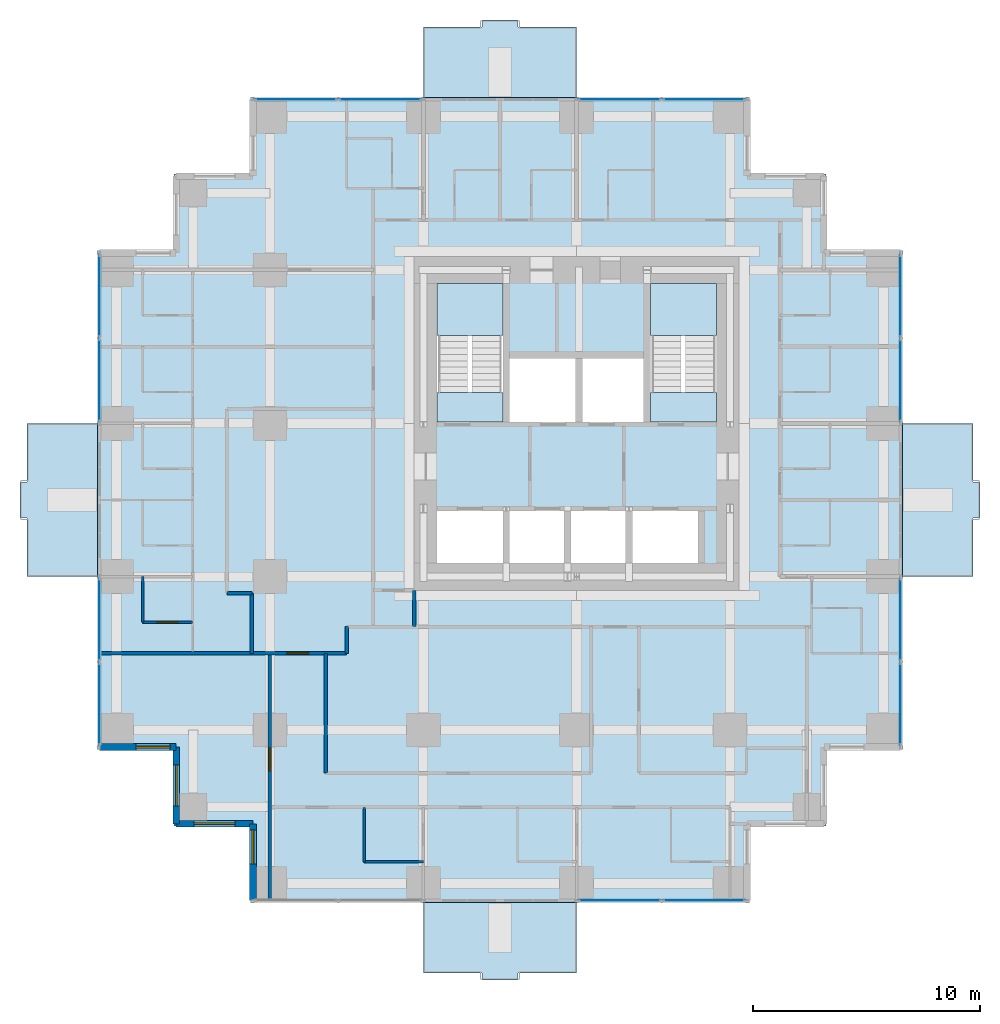
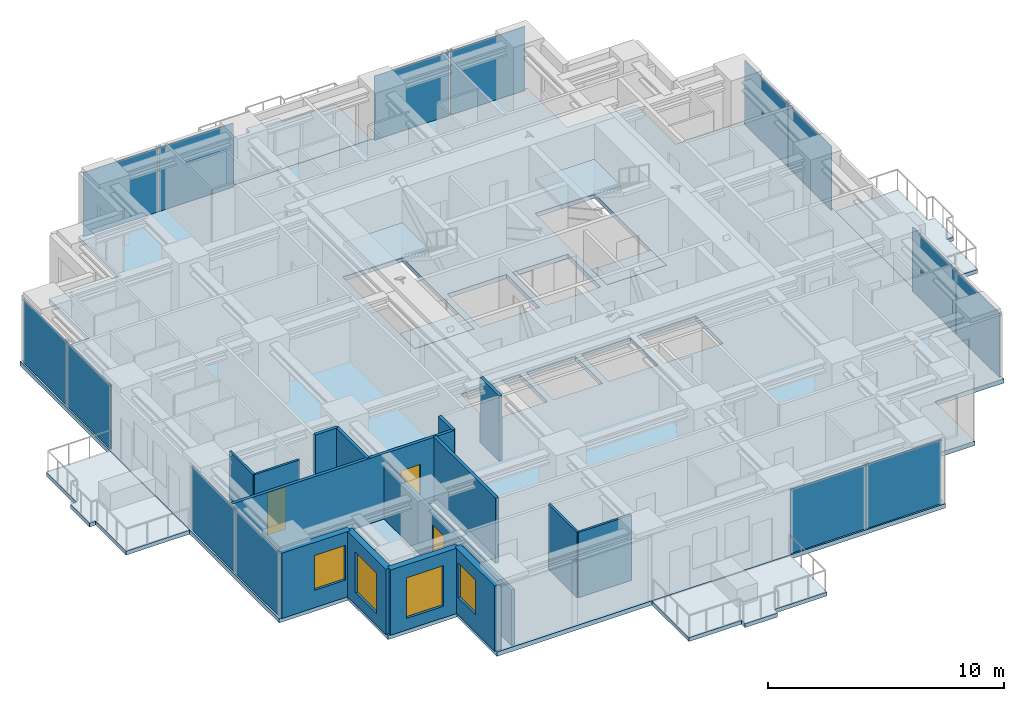
# One storey, part 4 of 10: 15 walls, 14 plates, 9 slabs, 4 windows, 3 doors, 7 openings, 9 elements without a shape of their own.
"""IFC4 building model written with IfcOpenShell, lengths in metres."""

from ifc_helpers import new_model, si_unit, direction, frame, frame_2d, origin, origin_2d, place, context, subcontext, project, spatial, polyline, rectangle, outline, extrude, material, layer, layer_set, type_object, element, fill, aggregate, save


model = new_model("IFC4")

# Units and contexts
model_context = context("Model", 3, precision=1e-05, world=origin(), true_north=direction((0.0, 1.0)))
body_context = subcontext(model_context, "Body", "Model", "MODEL_VIEW")
ifc_project = project(units=[si_unit("LENGTHUNIT", "METRE"), si_unit("AREAUNIT", "SQUARE_METRE"), si_unit("VOLUMEUNIT", "CUBIC_METRE"), si_unit("PLANEANGLEUNIT", "RADIAN"), si_unit("MASSUNIT", "GRAM", prefix="KILO")], contexts=[model_context])

# Site, building, storey
site_placement = place(None, origin())
site = spatial("IfcSite", under=ifc_project, at=site_placement, CompositionType="ELEMENT")
building_placement = place(site_placement, origin())
building = spatial("IfcBuilding", under=site, at=building_placement, Name="Nyansa Garden Tower", CompositionType="ELEMENT")
storey_placement = place(building_placement, frame((0.0, 0.0, 156.60009765625)))
storey = spatial("IfcBuildingStorey", under=building, at=storey_placement, Name="L42", CompositionType="ELEMENT", Elevation=156.60009765625)

# Slabs
ifc_material_1 = material(Name="Concrete C40/50", Category="concrete")
ifc_layer_1 = layer(ifc_material_1, 0.199951171875)
ifc_layer_set_1 = layer_set([ifc_layer_1], Name="Balcony slab BS200")
slab_type_1 = type_object("IfcSlabType", Name="Balcony slab BS200", PredefinedType="FLOOR", material=ifc_layer_set_1)
slab_1_placement = place(storey_placement, frame((0.0, 0.0, -0.239990234375)))
element("IfcSlab", 1, at=slab_1_placement, inside=storey, type_object=slab_type_1, Name="Balcony L42 S", PredefinedType="FLOOR", context=body_context, shape_type="SweptSolid", body=[
    extrude(outline(polyline([(13.5, -0.85009765625), (20.25, -0.85009765625), (20.25, -3.949951171875), (17.675048828125, -3.949951171875), (17.675048828125, -4.25), (16.074951171875, -4.25), (16.074951171875, -3.949951171875), (13.5, -3.949951171875), (13.5, -0.85009765625)])), origin(), (0.0, 0.0, 1.0), 0.199951171875),
])
slab_2_placement = place(storey_placement, frame((0.0, 0.0, -0.239990234375)))
element("IfcSlab", 2, at=slab_2_placement, inside=storey, type_object=slab_type_1, Name="Balcony L42 E", PredefinedType="FLOOR", context=body_context, shape_type="SweptSolid", body=[
    extrude(outline(polyline([(34.60009765625, 13.5), (34.60009765625, 20.25), (37.699951171875, 20.25), (37.699951171875, 17.675048828125), (38.0, 17.675048828125), (38.0, 16.074951171875), (37.699951171875, 16.074951171875), (37.699951171875, 13.5), (34.60009765625, 13.5)])), origin(), (0.0, 0.0, 1.0), 0.199951171875),
])
slab_3_placement = place(storey_placement, frame((0.0, 0.0, -0.239990234375)))
element("IfcSlab", 3, at=slab_3_placement, inside=storey, type_object=slab_type_1, Name="Balcony L42 N", PredefinedType="FLOOR", context=body_context, shape_type="SweptSolid", body=[
    extrude(outline(polyline([(13.5, 34.60009765625), (20.25, 34.60009765625), (20.25, 37.699951171875), (17.675048828125, 37.699951171875), (17.675048828125, 38.0), (16.074951171875, 38.0), (16.074951171875, 37.699951171875), (13.5, 37.699951171875), (13.5, 34.60009765625)])), origin(), (0.0, 0.0, 1.0), 0.199951171875),
])
slab_4_placement = place(storey_placement, frame((0.0, 0.0, -0.239990234375)))
element("IfcSlab", 4, at=slab_4_placement, inside=storey, type_object=slab_type_1, Name="Balcony L42 W", PredefinedType="FLOOR", context=body_context, shape_type="SweptSolid", body=[
    extrude(outline(polyline([(-0.85009765625, 13.5), (-0.85009765625, 20.25), (-3.949951171875, 20.25), (-3.949951171875, 17.675048828125), (-4.25, 17.675048828125), (-4.25, 16.074951171875), (-3.949951171875, 16.074951171875), (-3.949951171875, 13.5), (-0.85009765625, 13.5)])), origin(), (0.0, 0.0, 1.0), 0.199951171875),
])

# Curtain wall, plates
ifc_material_2 = material(Name="Black anodised aluminium, dark tinted double glazing", Category="aluminium")
curtain_wall_type = type_object("IfcCurtainWallType", Name="Inner skin curtain wall ISW-C", PredefinedType="USERDEFINED", material=ifc_material_2)
curtain_wall_1_placement = place(storey_placement, origin())
curtain_wall_1 = element("IfcCurtainWall", 5, at=curtain_wall_1_placement, inside=storey, type_object=curtain_wall_type, Name="Inner skin curtain wall L42 E", ObjectType="UNITISED CURTAIN WALL", PredefinedType="USERDEFINED")
ifc_material_3 = material(Name="Dark tinted laminated double glazing", Category="glass")
ifc_layer_2 = layer(ifc_material_3, 0.0400390625)
ifc_layer_set_2 = layer_set([ifc_layer_2], Name="Dark tinted vision panel VP-C")
plate_type = type_object("IfcPlateType", Name="Dark tinted vision panel VP-C", PredefinedType="CURTAIN_PANEL", material=ifc_layer_set_2)
plate_1_placement = place(storey_placement, frame((34.5, 7.892578125, 0.0), z_axis=(0.0, 0.0, 1.0), x_axis=(0.0, 1.0, 0.0)))
plate_1 = element("IfcPlate", 6, at=plate_1_placement, type_object=plate_type, Name="ISW-C panel 1", PredefinedType="CURTAIN_PANEL", context=body_context, shape_type="SweptSolid", body=[
    extrude(rectangle(XDim=3.64501953125, YDim=0.0400390625, at=origin_2d()), origin(), (0.0, 0.0, 1.0), 3.304931640625),
])
plate_2_placement = place(storey_placement, frame((34.5, 11.607421875, 0.0), z_axis=(0.0, 0.0, 1.0), x_axis=(0.0, 1.0, 0.0)))
plate_2 = element("IfcPlate", 7, at=plate_2_placement, type_object=plate_type, Name="ISW-C panel 2", PredefinedType="CURTAIN_PANEL", context=body_context, shape_type="SweptSolid", body=[
    extrude(rectangle(XDim=3.64501953125, YDim=0.0400390625, at=origin_2d()), origin(), (0.0, 0.0, 1.0), 3.304931640625),
])
aggregate(curtain_wall_1, [plate_1, plate_2])

curtain_wall_2_placement = place(storey_placement, origin())
curtain_wall_2 = element("IfcCurtainWall", 8, at=curtain_wall_2_placement, inside=storey, type_object=curtain_wall_type, Name="Inner skin curtain wall L42 E", ObjectType="UNITISED CURTAIN WALL", PredefinedType="USERDEFINED")
plate_3_placement = place(storey_placement, frame((34.5, 22.142578125, 0.0), z_axis=(0.0, 0.0, 1.0), x_axis=(0.0, 1.0, 0.0)))
plate_3 = element("IfcPlate", 9, at=plate_3_placement, type_object=plate_type, Name="ISW-C panel 1", PredefinedType="CURTAIN_PANEL", context=body_context, shape_type="SweptSolid", body=[
    extrude(rectangle(XDim=3.64501953125, YDim=0.0400390625, at=origin_2d()), origin(), (0.0, 0.0, 1.0), 3.304931640625),
])
plate_4_placement = place(storey_placement, frame((34.5, 25.857421875, 0.0), z_axis=(0.0, 0.0, 1.0), x_axis=(0.0, 1.0, 0.0)))
plate_4 = element("IfcPlate", 10, at=plate_4_placement, type_object=plate_type, Name="ISW-C panel 2", PredefinedType="CURTAIN_PANEL", context=body_context, shape_type="SweptSolid", body=[
    extrude(rectangle(XDim=3.64501953125, YDim=0.0400390625, at=origin_2d()), origin(), (0.0, 0.0, 1.0), 3.304931640625),
])
aggregate(curtain_wall_2, [plate_3, plate_4])

curtain_wall_3_placement = place(storey_placement, origin())
curtain_wall_3 = element("IfcCurtainWall", 11, at=curtain_wall_3_placement, inside=storey, type_object=curtain_wall_type, Name="Inner skin curtain wall L42 N", ObjectType="UNITISED CURTAIN WALL", PredefinedType="USERDEFINED")
plate_5_placement = place(storey_placement, frame((11.607421875, 34.5, 0.0), z_axis=(0.0, 0.0, 1.0), x_axis=(-1.0, 0.0, 0.0)))
plate_5 = element("IfcPlate", 12, at=plate_5_placement, type_object=plate_type, Name="ISW-C panel 1", PredefinedType="CURTAIN_PANEL", context=body_context, shape_type="SweptSolid", body=[
    extrude(rectangle(XDim=3.64501953125, YDim=0.0400390625, at=origin_2d()), origin(), (0.0, 0.0, 1.0), 3.304931640625),
])
plate_6_placement = place(storey_placement, frame((7.892578125, 34.5, 0.0), z_axis=(0.0, 0.0, 1.0), x_axis=(-1.0, 0.0, 0.0)))
plate_6 = element("IfcPlate", 13, at=plate_6_placement, type_object=plate_type, Name="ISW-C panel 2", PredefinedType="CURTAIN_PANEL", context=body_context, shape_type="SweptSolid", body=[
    extrude(rectangle(XDim=3.64501953125, YDim=0.0400390625, at=origin_2d()), origin(), (0.0, 0.0, 1.0), 3.304931640625),
])
aggregate(curtain_wall_3, [plate_5, plate_6])

curtain_wall_4_placement = place(storey_placement, origin())
curtain_wall_4 = element("IfcCurtainWall", 14, at=curtain_wall_4_placement, inside=storey, type_object=curtain_wall_type, Name="Inner skin curtain wall L42 N", ObjectType="UNITISED CURTAIN WALL", PredefinedType="USERDEFINED")
plate_7_placement = place(storey_placement, frame((25.857421875, 34.5, 0.0), z_axis=(0.0, 0.0, 1.0), x_axis=(-1.0, 0.0, 0.0)))
plate_7 = element("IfcPlate", 15, at=plate_7_placement, type_object=plate_type, Name="ISW-C panel 1", PredefinedType="CURTAIN_PANEL", context=body_context, shape_type="SweptSolid", body=[
    extrude(rectangle(XDim=3.64501953125, YDim=0.0400390625, at=origin_2d()), origin(), (0.0, 0.0, 1.0), 3.304931640625),
])
plate_8_placement = place(storey_placement, frame((22.142578125, 34.5, 0.0), z_axis=(0.0, 0.0, 1.0), x_axis=(-1.0, 0.0, 0.0)))
plate_8 = element("IfcPlate", 16, at=plate_8_placement, type_object=plate_type, Name="ISW-C panel 2", PredefinedType="CURTAIN_PANEL", context=body_context, shape_type="SweptSolid", body=[
    extrude(rectangle(XDim=3.64501953125, YDim=0.0400390625, at=origin_2d()), origin(), (0.0, 0.0, 1.0), 3.304931640625),
])
aggregate(curtain_wall_4, [plate_7, plate_8])

curtain_wall_5_placement = place(storey_placement, origin())
curtain_wall_5 = element("IfcCurtainWall", 17, at=curtain_wall_5_placement, inside=storey, type_object=curtain_wall_type, Name="Inner skin curtain wall L42 W", ObjectType="UNITISED CURTAIN WALL", PredefinedType="USERDEFINED")
plate_9_placement = place(storey_placement, frame((-0.75, 11.607421875, 0.0), z_axis=(0.0, 0.0, 1.0), x_axis=(0.0, -1.0, 0.0)))
plate_9 = element("IfcPlate", 18, at=plate_9_placement, type_object=plate_type, Name="ISW-C panel 1", PredefinedType="CURTAIN_PANEL", context=body_context, shape_type="SweptSolid", body=[
    extrude(rectangle(XDim=3.64501953125, YDim=0.0400390625, at=origin_2d()), origin(), (0.0, 0.0, 1.0), 3.304931640625),
])
plate_10_placement = place(storey_placement, frame((-0.75, 7.892578125, 0.0), z_axis=(0.0, 0.0, 1.0), x_axis=(0.0, -1.0, 0.0)))
plate_10 = element("IfcPlate", 19, at=plate_10_placement, type_object=plate_type, Name="ISW-C panel 2", PredefinedType="CURTAIN_PANEL", context=body_context, shape_type="SweptSolid", body=[
    extrude(rectangle(XDim=3.64501953125, YDim=0.0400390625, at=origin_2d()), origin(), (0.0, 0.0, 1.0), 3.304931640625),
])
aggregate(curtain_wall_5, [plate_9, plate_10])

curtain_wall_6_placement = place(storey_placement, origin())
curtain_wall_6 = element("IfcCurtainWall", 20, at=curtain_wall_6_placement, inside=storey, type_object=curtain_wall_type, Name="Inner skin curtain wall L42 W", ObjectType="UNITISED CURTAIN WALL", PredefinedType="USERDEFINED")
plate_11_placement = place(storey_placement, frame((-0.75, 25.857421875, 0.0), z_axis=(0.0, 0.0, 1.0), x_axis=(0.0, -1.0, 0.0)))
plate_11 = element("IfcPlate", 21, at=plate_11_placement, type_object=plate_type, Name="ISW-C panel 1", PredefinedType="CURTAIN_PANEL", context=body_context, shape_type="SweptSolid", body=[
    extrude(rectangle(XDim=3.64501953125, YDim=0.0400390625, at=origin_2d()), origin(), (0.0, 0.0, 1.0), 3.304931640625),
])
plate_12_placement = place(storey_placement, frame((-0.75, 22.142578125, 0.0), z_axis=(0.0, 0.0, 1.0), x_axis=(0.0, -1.0, 0.0)))
plate_12 = element("IfcPlate", 22, at=plate_12_placement, type_object=plate_type, Name="ISW-C panel 2", PredefinedType="CURTAIN_PANEL", context=body_context, shape_type="SweptSolid", body=[
    extrude(rectangle(XDim=3.64501953125, YDim=0.0400390625, at=origin_2d()), origin(), (0.0, 0.0, 1.0), 3.304931640625),
])
aggregate(curtain_wall_6, [plate_11, plate_12])

curtain_wall_7_placement = place(storey_placement, origin())
curtain_wall_7 = element("IfcCurtainWall", 23, at=curtain_wall_7_placement, inside=storey, type_object=curtain_wall_type, Name="Inner skin curtain wall L42 S", ObjectType="UNITISED CURTAIN WALL", PredefinedType="USERDEFINED")
plate_13_placement = place(storey_placement, frame((22.142578125, -0.75, 0.0), z_axis=(0.0, 0.0, 1.0), x_axis=(1.0, 0.0, 0.0)))
plate_13 = element("IfcPlate", 24, at=plate_13_placement, type_object=plate_type, Name="ISW-C panel 1", PredefinedType="CURTAIN_PANEL", context=body_context, shape_type="SweptSolid", body=[
    extrude(rectangle(XDim=3.64501953125, YDim=0.0400390625, at=origin_2d()), origin(), (0.0, 0.0, 1.0), 3.304931640625),
])
plate_14_placement = place(storey_placement, frame((25.857421875, -0.75, 0.0), z_axis=(0.0, 0.0, 1.0), x_axis=(1.0, 0.0, 0.0)))
plate_14 = element("IfcPlate", 25, at=plate_14_placement, type_object=plate_type, Name="ISW-C panel 2", PredefinedType="CURTAIN_PANEL", context=body_context, shape_type="SweptSolid", body=[
    extrude(rectangle(XDim=3.64501953125, YDim=0.0400390625, at=origin_2d()), origin(), (0.0, 0.0, 1.0), 3.304931640625),
])
aggregate(curtain_wall_7, [plate_13, plate_14])

# Slab
ifc_material_4 = material(Name="Concrete C40/50", Category="concrete")
ifc_layer_3 = layer(ifc_material_4, 0.22509765625)
ifc_layer_set_3 = layer_set([ifc_layer_3], Name="Floor slab FS225")
slab_type_2 = type_object("IfcSlabType", Name="Floor slab FS225", PredefinedType="FLOOR", material=ifc_layer_set_3)
slab_5_placement = place(storey_placement, frame((0.0, 0.0, -0.22509765625)))
element("IfcSlab", 26, at=slab_5_placement, inside=storey, type_object=slab_type_2, Name="Floor slab L42", PredefinedType="FLOOR", context=body_context, shape_type="SweptSolid", body=[
    extrude(outline(polyline([(34.60009765625, 5.89990234375), (31.22509765625, 5.89990234375), (31.22509765625, 2.52490234375), (27.85009765625, 2.52490234375), (27.85009765625, -0.85009765625), (5.89990234375, -0.85009765625), (5.89990234375, 2.52490234375), (2.52490234375, 2.52490234375), (2.52490234375, 5.89990234375), (-0.85009765625, 5.89990234375), (-0.85009765625, 27.85009765625), (2.52490234375, 27.85009765625), (2.52490234375, 31.22509765625), (5.89990234375, 31.22509765625), (5.89990234375, 34.60009765625), (27.85009765625, 34.60009765625), (27.85009765625, 31.22509765625), (31.22509765625, 31.22509765625), (31.22509765625, 27.85009765625), (34.60009765625, 27.85009765625), (34.60009765625, 5.89990234375)]), holes=[polyline([(14.10009765625, 14.10009765625), (17.0, 14.10009765625), (17.0, 16.39990234375), (14.10009765625, 16.39990234375), (14.10009765625, 14.10009765625)]), polyline([(17.300048828125, 14.10009765625), (19.699951171875, 14.10009765625), (19.699951171875, 16.39990234375), (17.300048828125, 16.39990234375), (17.300048828125, 14.10009765625)]), polyline([(20.0, 14.10009765625), (22.39990234375, 14.10009765625), (22.39990234375, 16.39990234375), (20.0, 16.39990234375), (20.0, 14.10009765625)]), polyline([(22.699951171875, 14.10009765625), (25.60009765625, 14.10009765625), (25.60009765625, 16.39990234375), (22.699951171875, 16.39990234375), (22.699951171875, 14.10009765625)]), polyline([(17.300048828125, 20.300048828125), (20.199951171875, 20.300048828125), (20.199951171875, 23.10009765625), (17.300048828125, 23.10009765625), (17.300048828125, 20.300048828125)]), polyline([(20.5, 20.300048828125), (23.199951171875, 20.300048828125), (23.199951171875, 23.10009765625), (20.5, 23.10009765625), (20.5, 20.300048828125)]), polyline([(14.10009765625, 20.300048828125), (17.0, 20.300048828125), (17.0, 26.39990234375), (14.10009765625, 26.39990234375), (14.10009765625, 20.300048828125)]), polyline([(23.5, 20.300048828125), (26.39990234375, 20.300048828125), (26.39990234375, 26.39990234375), (23.5, 26.39990234375), (23.5, 20.300048828125)])]), origin(), (0.0, 0.0, 1.0), 0.22509765625),
])

# Stair, slabs
ifc_material_5 = material(Name="Precast concrete C40/50", Category="concrete")
stair_type_1 = type_object("IfcStairType", Name="Stair S1 180x280", PredefinedType="HALF_TURN_STAIR", material=ifc_material_5)
stair_1_placement = place(storey_placement, origin())
stair_1 = element("IfcStair", 27, at=stair_1_placement, inside=storey, type_object=stair_type_1, Name="Stair S1 L42", PredefinedType="HALF_TURN_STAIR")
ifc_material_6 = material(Name="Concrete C40/50", Category="concrete")
ifc_layer_4 = layer(ifc_material_6, 0.199951171875)
ifc_layer_set_4 = layer_set([ifc_layer_4], Name="Stair landing SL200")
slab_type_3 = type_object("IfcSlabType", Name="Stair landing SL200", PredefinedType="LANDING", material=ifc_layer_set_4)
slab_6_placement = place(storey_placement, frame((0.0, 0.0, -0.2001953125)))
slab_6 = element("IfcSlab", 28, at=slab_6_placement, type_object=slab_type_3, Name="S1 landing 1", PredefinedType="LANDING", context=body_context, shape_type="SweptSolid", body=[
    extrude(outline(polyline([(14.10009765625, 20.300048828125), (17.0, 20.300048828125), (17.0, 21.60009765625), (14.10009765625, 21.60009765625), (14.10009765625, 20.300048828125)])), origin(), (0.0, 0.0, 1.0), 0.2001953125),
])
slab_7_placement = place(storey_placement, frame((0.0, 0.0, 1.599853515625)))
slab_7 = element("IfcSlab", 29, at=slab_7_placement, type_object=slab_type_3, Name="S1 landing 2", PredefinedType="LANDING", context=body_context, shape_type="SweptSolid", body=[
    extrude(outline(polyline([(14.10009765625, 24.1201171875), (17.0, 24.1201171875), (17.0, 26.39990234375), (14.10009765625, 26.39990234375), (14.10009765625, 24.1201171875)])), origin(), (0.0, 0.0, 1.0), 0.199951171875),
])
aggregate(stair_1, [slab_6, slab_7])

ifc_material_7 = material(Name="Precast concrete C40/50", Category="concrete")
stair_type_2 = type_object("IfcStairType", Name="Stair S2 180x280", PredefinedType="HALF_TURN_STAIR", material=ifc_material_7)
stair_2_placement = place(storey_placement, origin())
stair_2 = element("IfcStair", 30, at=stair_2_placement, inside=storey, type_object=stair_type_2, Name="Stair S2 L42", PredefinedType="HALF_TURN_STAIR")
slab_8_placement = place(storey_placement, frame((0.0, 0.0, -0.2001953125)))
slab_8 = element("IfcSlab", 31, at=slab_8_placement, type_object=slab_type_3, Name="S2 landing 1", PredefinedType="LANDING", context=body_context, shape_type="SweptSolid", body=[
    extrude(outline(polyline([(23.5, 20.300048828125), (26.39990234375, 20.300048828125), (26.39990234375, 21.60009765625), (23.5, 21.60009765625), (23.5, 20.300048828125)])), origin(), (0.0, 0.0, 1.0), 0.2001953125),
])
slab_9_placement = place(storey_placement, frame((0.0, 0.0, 1.599853515625)))
slab_9 = element("IfcSlab", 32, at=slab_9_placement, type_object=slab_type_3, Name="S2 landing 2", PredefinedType="LANDING", context=body_context, shape_type="SweptSolid", body=[
    extrude(outline(polyline([(23.5, 24.1201171875), (26.39990234375, 24.1201171875), (26.39990234375, 26.39990234375), (23.5, 26.39990234375), (23.5, 24.1201171875)])), origin(), (0.0, 0.0, 1.0), 0.199951171875),
])
aggregate(stair_2, [slab_8, slab_9])

# Wall, opening, door
ifc_material_8 = material(Name="Blockwork, plastered both sides", Category="masonry")
ifc_layer_5 = layer(ifc_material_8, 0.14990234375)
ifc_layer_set_5 = layer_set([ifc_layer_5], Name="Partition PW150")
wall_type_1 = type_object("IfcWallType", Name="Partition PW150", PredefinedType="PARTITIONING", material=ifc_layer_set_5)
wall_1_placement = place(storey_placement, frame((-0.73388671875, 10.125, 0.0), z_axis=(0.0, 0.0, 1.0), x_axis=(1.0, 0.0, 0.0)))
wall_1 = element("IfcWall", 33, at=wall_1_placement, inside=storey, type_object=wall_type_1, Name="Partition", PredefinedType="PARTITIONING", context=body_context, shape_type="SweptSolid", body=[
    extrude(rectangle(XDim=10.85888671875, YDim=0.14990234375, at=frame_2d((5.429443359375, 0.0))), origin(), (0.0, 0.0, 1.0), 3.375),
])
opening_1_placement = place(wall_1_placement, frame((8.23388671875, 0.0, 0.0)))
opening_1 = element("IfcOpeningElement", 34, at=opening_1_placement, cuts=wall_1, Name="Opening D01", PredefinedType="OPENING", context=body_context, shape_type="SweptSolid", body=[
    extrude(rectangle(XDim=0.949951171875, YDim=2.199951171875, at=frame_2d((0.47509765625, 1.10009765625))), frame((0.0, 0.0849609375, 0.0), z_axis=(0.0, -1.0, 0.0), x_axis=(1.0, 0.0, 0.0)), (0.0, 0.0, 1.0), 0.169921875),
])
ifc_material_9 = material(Name="Timber flush door, 30 minute fire resisting", Category="wood")
door_type_1 = type_object("IfcDoorType", Name="Bedroom door D01 950x2200", OperationType="SINGLE_SWING_LEFT", PredefinedType="DOOR", material=ifc_material_9)
door_1_placement = place(opening_1_placement, origin())
door_1 = element("IfcDoor", 35, at=door_1_placement, inside=storey, type_object=door_type_1, Name="Door L42-062", OperationType="SINGLE_SWING_LEFT", OverallHeight=2.199951171875, OverallWidth=0.949951171875, PredefinedType="DOOR", context=body_context, shape_type="SweptSolid", body=[
    extrude(rectangle(XDim=0.949951171875, YDim=2.199951171875, at=frame_2d((0.47509765625, 1.10009765625))), frame((0.0, 0.02490234375, 0.0), z_axis=(0.0, -1.0, 0.0), x_axis=(1.0, 0.0, 0.0)), (0.0, 0.0, 1.0), 0.050048828125),
])
fill(opening_1, door_1)

# Walls
wall_2_placement = place(storey_placement, frame((4.85009765625, 12.77490234375, 0.0), z_axis=(0.0, 0.0, 1.0), x_axis=(1.0, 0.0, 0.0)))
element("IfcWall", 36, at=wall_2_placement, inside=storey, type_object=wall_type_1, Name="Partition", PredefinedType="PARTITIONING", context=body_context, shape_type="SweptSolid", body=[
    extrude(rectangle(XDim=1.099853515625, YDim=0.14990234375, at=frame_2d((0.5498046875, 0.0))), origin(), (0.0, 0.0, 1.0), 3.375),
])
wall_3_placement = place(storey_placement, frame((5.949951171875, 10.125, 0.0), z_axis=(0.0, 0.0, 1.0), x_axis=(0.0, 1.0, 0.0)))
element("IfcWall", 37, at=wall_3_placement, inside=storey, type_object=wall_type_1, Name="Partition", PredefinedType="PARTITIONING", context=body_context, shape_type="SweptSolid", body=[
    extrude(rectangle(XDim=2.64990234375, YDim=0.14990234375, at=frame_2d((1.324951171875, 0.0))), origin(), (0.0, 0.0, 1.0), 3.375),
])

# Wall, opening, door
wall_4_placement = place(storey_placement, frame((6.75, -0.73388671875, 0.0), z_axis=(0.0, 0.0, 1.0), x_axis=(0.0, 1.0, 0.0)))
wall_4 = element("IfcWall", 38, at=wall_4_placement, inside=storey, type_object=wall_type_1, Name="Partition", PredefinedType="PARTITIONING", context=body_context, shape_type="SweptSolid", body=[
    extrude(rectangle(XDim=10.85888671875, YDim=0.14990234375, at=frame_2d((5.429443359375, 0.0))), origin(), (0.0, 0.0, 1.0), 2.876953125),
])
opening_2_placement = place(wall_4_placement, frame((5.68408203125, 0.0, 0.0)))
opening_2 = element("IfcOpeningElement", 39, at=opening_2_placement, cuts=wall_4, Name="Opening D03", PredefinedType="OPENING", context=body_context, shape_type="SweptSolid", body=[
    extrude(rectangle(XDim=1.0, YDim=2.199951171875, at=frame_2d((0.5, 1.10009765625))), frame((0.0, 0.0849609375, 0.0), z_axis=(0.0, -1.0, 0.0), x_axis=(1.0, 0.0, 0.0)), (0.0, 0.0, 1.0), 0.169921875),
])
ifc_material_10 = material(Name="Timber flush door, 60 minute fire resisting", Category="wood")
door_type_2 = type_object("IfcDoorType", Name="Cluster entrance door D03 1000x2200", OperationType="SINGLE_SWING_LEFT", PredefinedType="DOOR", material=ifc_material_10)
door_2_placement = place(opening_2_placement, origin())
door_2 = element("IfcDoor", 40, at=door_2_placement, inside=storey, type_object=door_type_2, Name="Door L42-017", OperationType="SINGLE_SWING_LEFT", OverallHeight=2.199951171875, OverallWidth=1.0, PredefinedType="DOOR", context=body_context, shape_type="SweptSolid", body=[
    extrude(rectangle(XDim=1.0, YDim=2.199951171875, at=frame_2d((0.5, 1.10009765625))), frame((0.0, 0.02490234375, 0.0), z_axis=(0.0, -1.0, 0.0), x_axis=(1.0, 0.0, 0.0)), (0.0, 0.0, 1.0), 0.050048828125),
])
fill(opening_2, door_2)

# Walls
wall_5_placement = place(storey_placement, frame((9.199951171875, 4.85009765625, 0.0), z_axis=(0.0, 0.0, 1.0), x_axis=(0.0, 1.0, 0.0)))
element("IfcWall", 41, at=wall_5_placement, inside=storey, type_object=wall_type_1, Name="Partition", PredefinedType="PARTITIONING", context=body_context, shape_type="SweptSolid", body=[
    extrude(rectangle(XDim=5.27490234375, YDim=0.14990234375, at=frame_2d((2.637451171875, 0.0))), origin(), (0.0, 0.0, 1.0), 3.375),
])
wall_6_placement = place(storey_placement, frame((10.125, 10.125, 0.0), z_axis=(0.0, 0.0, 1.0), x_axis=(0.0, 1.0, 0.0)))
element("IfcWall", 42, at=wall_6_placement, inside=storey, type_object=wall_type_1, Name="Partition", PredefinedType="PARTITIONING", context=body_context, shape_type="SweptSolid", body=[
    extrude(rectangle(XDim=1.175048828125, YDim=0.14990234375, at=frame_2d((0.58740234375, 0.0))), origin(), (0.0, 0.0, 1.0), 3.375),
])
wall_7_placement = place(storey_placement, frame((13.10009765625, 11.300048828125, 0.0), z_axis=(0.0, 0.0, 1.0), x_axis=(0.0, 1.0, 0.0)))
element("IfcWall", 43, at=wall_7_placement, inside=storey, type_object=wall_type_1, Name="Partition", PredefinedType="PARTITIONING", context=body_context, shape_type="SweptSolid", body=[
    extrude(rectangle(XDim=1.599853515625, YDim=0.14990234375, at=frame_2d((0.7998046875, 0.0))), origin(), (0.0, 0.0, 1.0), 3.375),
])

# Wall, opening, window
ifc_material_11 = material(Name="Turquoise glazed tile on concrete blockwork", Category="masonry")
ifc_layer_6 = layer(ifc_material_11, 0.300048828125)
ifc_layer_set_6 = layer_set([ifc_layer_6], Name="Tiled corner wall TW300")
wall_type_2 = type_object("IfcWallType", Name="Tiled corner wall TW300", PredefinedType="SOLIDWALL", material=ifc_layer_set_6)
wall_8_placement = place(storey_placement, frame((-0.75, 6.0, 0.0), z_axis=(0.0, 0.0, 1.0), x_axis=(1.0, 0.0, 0.0)))
wall_8 = element("IfcWall", 44, at=wall_8_placement, inside=storey, type_object=wall_type_2, Name="Tiled corner wall L42", PredefinedType="SOLIDWALL", context=body_context, shape_type="SweptSolid", body=[
    extrude(rectangle(XDim=3.375, YDim=0.300048828125, at=frame_2d((1.6875, 0.0))), origin(), (0.0, 0.0, 1.0), 3.375),
])
opening_3_placement = place(wall_8_placement, frame((1.607421875, 0.0, 0.89990234375)))
opening_3 = element("IfcOpeningElement", 45, at=opening_3_placement, cuts=wall_8, Name="Opening W1", PredefinedType="OPENING", context=body_context, shape_type="SweptSolid", body=[
    extrude(rectangle(XDim=1.5, YDim=1.800048828125, at=frame_2d((0.75, 0.89990234375))), frame((0.0, 0.159912109375, 0.0), z_axis=(0.0, -1.0, 0.0), x_axis=(1.0, 0.0, 0.0)), (0.0, 0.0, 1.0), 0.320068359375),
])
ifc_material_12 = material(Name="Black aluminium frame, dark tinted double glazing", Category="aluminium")
window_type_1 = type_object("IfcWindowType", Name="Window W1 1500x1800", PartitioningType="SINGLE_PANEL", PredefinedType="WINDOW", material=ifc_material_12)
window_1_placement = place(opening_3_placement, origin())
window_1 = element("IfcWindow", 46, at=window_1_placement, inside=storey, type_object=window_type_1, Name="Corner window L42", OverallHeight=1.800048828125, OverallWidth=1.5, PartitioningType="SINGLE_PANEL", PredefinedType="WINDOW", context=body_context, shape_type="SweptSolid", body=[
    extrude(rectangle(XDim=1.5, YDim=1.800048828125, at=frame_2d((0.75, 0.89990234375))), frame((0.0, 0.030029296875, 0.0), z_axis=(0.0, -1.0, 0.0), x_axis=(1.0, 0.0, 0.0)), (0.0, 0.0, 1.0), 0.06005859375),
])
fill(opening_3, window_1)

wall_9_placement = place(storey_placement, frame((2.625, 6.0, 0.0), z_axis=(0.0, 0.0, 1.0), x_axis=(0.0, -1.0, 0.0)))
wall_9 = element("IfcWall", 47, at=wall_9_placement, inside=storey, type_object=wall_type_2, Name="Tiled corner wall L42", PredefinedType="SOLIDWALL", context=body_context, shape_type="SweptSolid", body=[
    extrude(rectangle(XDim=3.375, YDim=0.300048828125, at=frame_2d((1.6875, 0.0))), origin(), (0.0, 0.0, 1.0), 3.375),
])
opening_4_placement = place(wall_9_placement, frame((0.78759765625, 0.0, 0.60009765625)))
opening_4 = element("IfcOpeningElement", 48, at=opening_4_placement, cuts=wall_9, Name="Opening W2", PredefinedType="OPENING", context=body_context, shape_type="SweptSolid", body=[
    extrude(rectangle(XDim=1.800048828125, YDim=2.10009765625, at=frame_2d((0.89990234375, 1.050048828125))), frame((0.0, 0.159912109375, 0.0), z_axis=(0.0, -1.0, 0.0), x_axis=(1.0, 0.0, 0.0)), (0.0, 0.0, 1.0), 0.320068359375),
])
ifc_material_13 = material(Name="Black aluminium frame, dark tinted double glazing", Category="aluminium")
window_type_2 = type_object("IfcWindowType", Name="Window W2 1800x2100", PartitioningType="SINGLE_PANEL", PredefinedType="WINDOW", material=ifc_material_13)
window_2_placement = place(opening_4_placement, origin())
window_2 = element("IfcWindow", 49, at=window_2_placement, inside=storey, type_object=window_type_2, Name="Corner window L42", OverallHeight=2.10009765625, OverallWidth=1.800048828125, PartitioningType="SINGLE_PANEL", PredefinedType="WINDOW", context=body_context, shape_type="SweptSolid", body=[
    extrude(rectangle(XDim=1.800048828125, YDim=2.10009765625, at=frame_2d((0.89990234375, 1.050048828125))), frame((0.0, 0.030029296875, 0.0), z_axis=(0.0, -1.0, 0.0), x_axis=(1.0, 0.0, 0.0)), (0.0, 0.0, 1.0), 0.06005859375),
])
fill(opening_4, window_2)

wall_10_placement = place(storey_placement, frame((2.625, 2.625, 0.0), z_axis=(0.0, 0.0, 1.0), x_axis=(1.0, 0.0, 0.0)))
wall_10 = element("IfcWall", 50, at=wall_10_placement, inside=storey, type_object=wall_type_2, Name="Tiled corner wall L42", PredefinedType="SOLIDWALL", context=body_context, shape_type="SweptSolid", body=[
    extrude(rectangle(XDim=3.375, YDim=0.300048828125, at=frame_2d((1.6875, 0.0))), origin(), (0.0, 0.0, 1.0), 3.375),
])
opening_5_placement = place(wall_10_placement, frame((0.78759765625, 0.0, 0.60009765625)))
opening_5 = element("IfcOpeningElement", 51, at=opening_5_placement, cuts=wall_10, Name="Opening W2", PredefinedType="OPENING", context=body_context, shape_type="SweptSolid", body=[
    extrude(rectangle(XDim=1.800048828125, YDim=2.10009765625, at=frame_2d((0.89990234375, 1.050048828125))), frame((0.0, 0.159912109375, 0.0), z_axis=(0.0, -1.0, 0.0), x_axis=(1.0, 0.0, 0.0)), (0.0, 0.0, 1.0), 0.320068359375),
])
window_3_placement = place(opening_5_placement, origin())
window_3 = element("IfcWindow", 52, at=window_3_placement, inside=storey, type_object=window_type_2, Name="Corner window L42", OverallHeight=2.10009765625, OverallWidth=1.800048828125, PartitioningType="SINGLE_PANEL", PredefinedType="WINDOW", context=body_context, shape_type="SweptSolid", body=[
    extrude(rectangle(XDim=1.800048828125, YDim=2.10009765625, at=frame_2d((0.89990234375, 1.050048828125))), frame((0.0, 0.030029296875, 0.0), z_axis=(0.0, -1.0, 0.0), x_axis=(1.0, 0.0, 0.0)), (0.0, 0.0, 1.0), 0.06005859375),
])
fill(opening_5, window_3)

wall_11_placement = place(storey_placement, frame((6.0, 2.625, 0.0), z_axis=(0.0, 0.0, 1.0), x_axis=(0.0, -1.0, 0.0)))
wall_11 = element("IfcWall", 53, at=wall_11_placement, inside=storey, type_object=wall_type_2, Name="Tiled corner wall L42", PredefinedType="SOLIDWALL", context=body_context, shape_type="SweptSolid", body=[
    extrude(rectangle(XDim=3.375, YDim=0.300048828125, at=frame_2d((1.6875, 0.0))), origin(), (0.0, 0.0, 1.0), 3.375),
])
opening_6_placement = place(wall_11_placement, frame((0.267578125, 0.0, 0.89990234375)))
opening_6 = element("IfcOpeningElement", 54, at=opening_6_placement, cuts=wall_11, Name="Opening W1", PredefinedType="OPENING", context=body_context, shape_type="SweptSolid", body=[
    extrude(rectangle(XDim=1.5, YDim=1.800048828125, at=frame_2d((0.75, 0.89990234375))), frame((0.0, 0.159912109375, 0.0), z_axis=(0.0, -1.0, 0.0), x_axis=(1.0, 0.0, 0.0)), (0.0, 0.0, 1.0), 0.320068359375),
])
window_4_placement = place(opening_6_placement, origin())
window_4 = element("IfcWindow", 55, at=window_4_placement, inside=storey, type_object=window_type_1, Name="Corner window L42", OverallHeight=1.800048828125, OverallWidth=1.5, PartitioningType="SINGLE_PANEL", PredefinedType="WINDOW", context=body_context, shape_type="SweptSolid", body=[
    extrude(rectangle(XDim=1.5, YDim=1.800048828125, at=frame_2d((0.75, 0.89990234375))), frame((0.0, 0.030029296875, 0.0), z_axis=(0.0, -1.0, 0.0), x_axis=(1.0, 0.0, 0.0)), (0.0, 0.0, 1.0), 0.06005859375),
])
fill(opening_6, window_4)

# Wall
ifc_material_14 = material(Name="Moisture resistant board on steel studs, tiled", Category="steel")
ifc_layer_7 = layer(ifc_material_14, 0.10009765625)
ifc_layer_set_7 = layer_set([ifc_layer_7], Name="Wet wall PW100")
wall_type_3 = type_object("IfcWallType", Name="Wet wall PW100", PredefinedType="PARTITIONING", material=ifc_layer_set_7)
wall_12_placement = place(storey_placement, frame((1.14990234375, 11.5, 0.0), z_axis=(0.0, 0.0, 1.0), x_axis=(0.0, 1.0, 0.0)))
element("IfcWall", 56, at=wall_12_placement, inside=storey, type_object=wall_type_3, Name="Wet wall", PredefinedType="PARTITIONING", context=body_context, shape_type="SweptSolid", body=[
    extrude(rectangle(XDim=2.0, YDim=0.10009765625, at=frame_2d((1.0, 0.0))), origin(), (0.0, 0.0, 1.0), 3.375),
])

# Wall, opening, door
wall_13_placement = place(storey_placement, frame((1.14990234375, 11.5, 0.0), z_axis=(0.0, 0.0, 1.0), x_axis=(1.0, 0.0, 0.0)))
wall_13 = element("IfcWall", 57, at=wall_13_placement, inside=storey, type_object=wall_type_3, Name="Wet wall", PredefinedType="PARTITIONING", context=body_context, shape_type="SweptSolid", body=[
    extrude(rectangle(XDim=2.2001953125, YDim=0.10009765625, at=frame_2d((1.10009765625, 0.0))), origin(), (0.0, 0.0, 1.0), 3.375),
])
opening_7_placement = place(wall_13_placement, frame((0.64990234375, 0.0, 0.0)))
opening_7 = element("IfcOpeningElement", 58, at=opening_7_placement, cuts=wall_13, Name="Opening D02", PredefinedType="OPENING", context=body_context, shape_type="SweptSolid", body=[
    extrude(rectangle(XDim=0.89990234375, YDim=2.199951171875, at=frame_2d((0.449951171875, 1.10009765625))), frame((0.0, 0.06005859375, 0.0), z_axis=(0.0, -1.0, 0.0), x_axis=(1.0, 0.0, 0.0)), (0.0, 0.0, 1.0), 0.1201171875),
])
ifc_material_15 = material(Name="Timber flush door", Category="wood")
door_type_3 = type_object("IfcDoorType", Name="En-suite door D02 900x2200", OperationType="SINGLE_SWING_RIGHT", PredefinedType="DOOR", material=ifc_material_15)
door_3_placement = place(opening_7_placement, origin())
door_3 = element("IfcDoor", 59, at=door_3_placement, inside=storey, type_object=door_type_3, Name="Door L42-054", OperationType="SINGLE_SWING_RIGHT", OverallHeight=2.199951171875, OverallWidth=0.89990234375, PredefinedType="DOOR", context=body_context, shape_type="SweptSolid", body=[
    extrude(rectangle(XDim=0.89990234375, YDim=2.199951171875, at=frame_2d((0.449951171875, 1.10009765625))), frame((0.0, 0.02490234375, 0.0), z_axis=(0.0, -1.0, 0.0), x_axis=(1.0, 0.0, 0.0)), (0.0, 0.0, 1.0), 0.050048828125),
])
fill(opening_7, door_3)

# Walls
wall_14_placement = place(storey_placement, frame((10.89990234375, 0.949951171875, 0.0), z_axis=(0.0, 0.0, 1.0), x_axis=(0.0, 1.0, 0.0)))
element("IfcWall", 60, at=wall_14_placement, inside=storey, type_object=wall_type_3, Name="Wet wall", PredefinedType="PARTITIONING", context=body_context, shape_type="SweptSolid", body=[
    extrude(rectangle(XDim=2.400146484375, YDim=0.10009765625, at=frame_2d((1.2001953125, 0.0))), origin(), (0.0, 0.0, 1.0), 3.375),
])
wall_15_placement = place(storey_placement, frame((10.89990234375, 0.949951171875, 0.0), z_axis=(0.0, 0.0, 1.0), x_axis=(1.0, 0.0, 0.0)))
element("IfcWall", 61, at=wall_15_placement, inside=storey, type_object=wall_type_3, Name="Wet wall", PredefinedType="PARTITIONING", context=body_context, shape_type="SweptSolid", body=[
    extrude(rectangle(XDim=2.60009765625, YDim=0.10009765625, at=frame_2d((1.300048828125, 0.0))), origin(), (0.0, 0.0, 1.0), 3.375),
])

save(model, "model.ifc")
